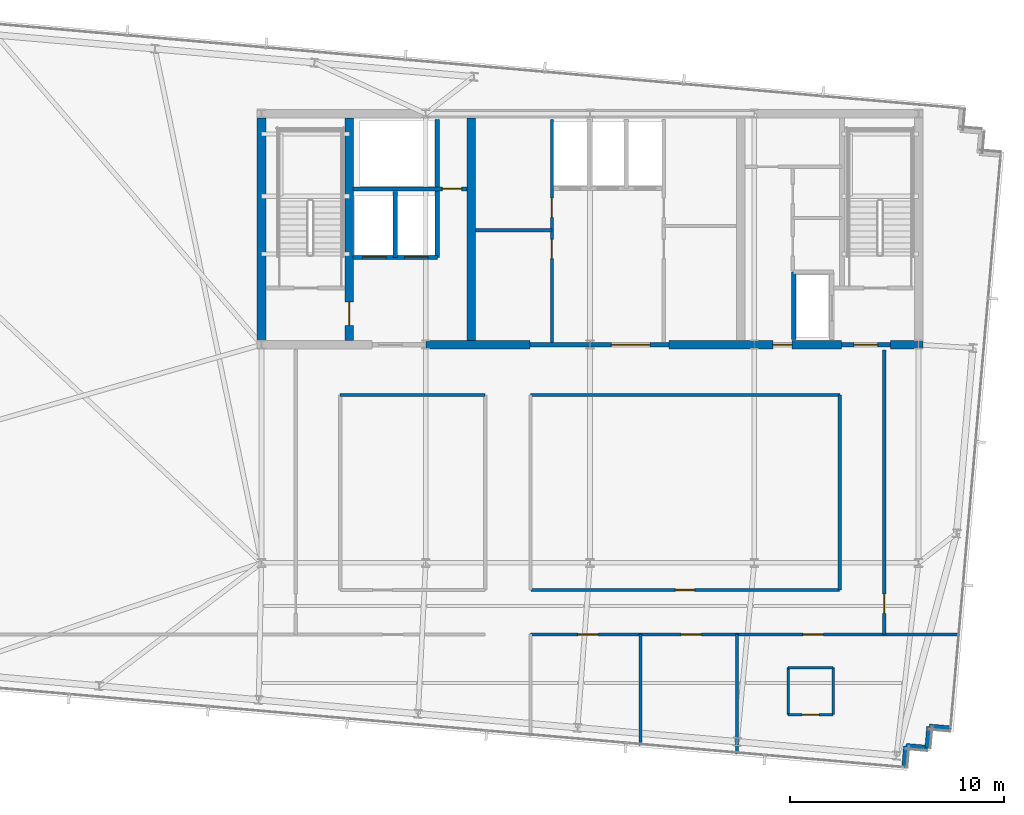
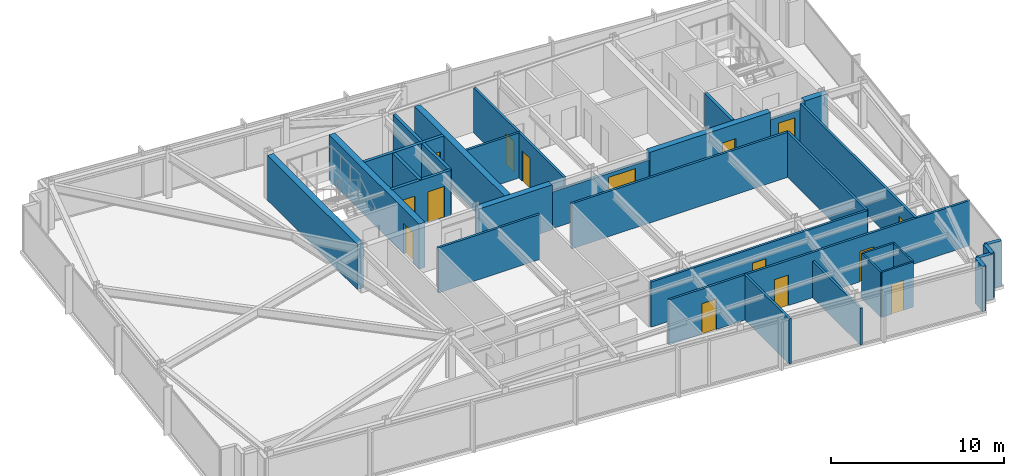
# One storey, part 27 of 32: 31 walls, 15 doors, 15 openings.
"""IFC4 building model written with IfcOpenShell, lengths in metres."""

from ifc_helpers import new_model, si_unit, direction, frame, frame_2d, origin, place, context, subcontext, project, spatial, rectangle, extrude, material, layer, layer_set, type_object, element, fill, save


model = new_model("IFC4")

# Units and contexts
model_context = context("Model", 3, precision=1e-05, world=origin(), true_north=direction((0.0, 1.0)))
body_context = subcontext(model_context, "Body", "Model", "MODEL_VIEW")
ifc_project = project(units=[si_unit("LENGTHUNIT", "METRE"), si_unit("AREAUNIT", "SQUARE_METRE"), si_unit("VOLUMEUNIT", "CUBIC_METRE"), si_unit("PLANEANGLEUNIT", "RADIAN"), si_unit("MASSUNIT", "GRAM", prefix="KILO")], contexts=[model_context])

# Site, building, storey
site_placement = place(None, origin())
site = spatial("IfcSite", under=ifc_project, at=site_placement, CompositionType="ELEMENT")
building_placement = place(site_placement, origin())
building = spatial("IfcBuilding", under=site, at=building_placement, Name="Yelkora Congress Tower", CompositionType="ELEMENT")
storey_placement = place(building_placement, frame((0.0, 0.0, 279.5)))
storey = spatial("IfcBuildingStorey", under=building, at=storey_placement, Name="L78", CompositionType="ELEMENT", Elevation=279.5)

# Wall
ifc_material_1 = material(Name="Concrete C50/60", Category="concrete")
ifc_layer_1 = layer(ifc_material_1, 0.39990234375)
ifc_layer_set_1 = layer_set([ifc_layer_1], Name="Concrete C50/60")
wall_type_1 = type_object("IfcWallType", Name="WALL-CORE-INT-400", PredefinedType="SHEAR", material=ifc_layer_set_1)
wall_1_placement = place(storey_placement, frame((30.719970703125, 35.39990234375, 0.0), z_axis=(0.0, 0.0, 1.0), x_axis=(1.0, 0.0, 0.0)))
element("IfcWall", 1, at=wall_1_placement, inside=storey, type_object=wall_type_1, Name="L78 Rear Core South-Center Shear Pier", PredefinedType="SHEAR", context=body_context, shape_type="SweptSolid", body=[
    extrude(rectangle(XDim=4.880126953125, YDim=0.39990234375, at=frame_2d((2.43994140625, 0.0))), origin(), (0.0, 0.0, 1.0), 3.179931640625),
])

# Wall, opening, door
wall_2_placement = place(storey_placement, frame((42.10009765625, 35.39990234375, 0.0), z_axis=(0.0, 0.0, 1.0), x_axis=(1.0, 0.0, 0.0)))
wall_2 = element("IfcWall", 2, at=wall_2_placement, inside=storey, type_object=wall_type_1, Name="L78 Rear Core South-East Shear Wall A", PredefinedType="SHEAR", context=body_context, shape_type="SweptSolid", body=[
    extrude(rectangle(XDim=8.0498046875, YDim=0.39990234375, at=frame_2d((4.02490234375, 0.0))), origin(), (0.0, 0.0, 1.0), 3.179931640625),
])
opening_1_placement = place(wall_2_placement, frame((4.85009765625, 0.0, 0.0)))
opening_1 = element("IfcOpeningElement", 3, at=opening_1_placement, cuts=wall_2, Name="Opening DR-090F6", PredefinedType="OPENING", context=body_context, shape_type="SweptSolid", body=[
    extrude(rectangle(XDim=0.89990234375, YDim=2.14990234375, at=frame_2d((0.449951171875, 1.074951171875))), frame((0.0, 0.2099609375, 0.0), z_axis=(0.0, -1.0, 0.0), x_axis=(1.0, 0.0, 0.0)), (0.0, 0.0, 1.0), 0.419921875),
])
ifc_material_2 = material(Name="Painted steel riser fire door leaf", Category="steel")
door_type_1 = type_object("IfcDoorType", Name="DOOR-FD60-900", OperationType="NOTDEFINED", PredefinedType="DOOR", material=ifc_material_2)
door_1_placement = place(opening_1_placement, origin())
door_1 = element("IfcDoor", 4, at=door_1_placement, inside=storey, type_object=door_type_1, Name="L78 Core Washroom Lobby Door", OperationType="SINGLE_SWING_RIGHT", OverallHeight=2.14990234375, OverallWidth=0.89990234375, PredefinedType="DOOR", context=body_context, shape_type="SweptSolid", body=[
    extrude(rectangle(XDim=0.89990234375, YDim=2.14990234375, at=frame_2d((0.449951171875, 1.074951171875))), frame((0.0, 0.02490234375, 0.0), z_axis=(0.0, -1.0, 0.0), x_axis=(1.0, 0.0, 0.0)), (0.0, 0.0, 1.0), 0.050048828125),
])
fill(opening_1, door_1)

# Walls
wall_3_placement = place(storey_placement, frame((52.449951171875, 35.39990234375, 0.0), z_axis=(0.0, 0.0, 1.0), x_axis=(1.0, 0.0, 0.0)))
element("IfcWall", 5, at=wall_3_placement, inside=storey, type_object=wall_type_1, Name="L78 Rear Core South-East Shear Wall B", PredefinedType="SHEAR", context=body_context, shape_type="SweptSolid", body=[
    extrude(rectangle(XDim=1.510009765625, YDim=0.39990234375, at=frame_2d((0.7548828125, 0.0))), origin(), (0.0, 0.0, 1.0), 3.179931640625),
])
wall_4_placement = place(storey_placement, frame((23.0400390625, 35.60009765625, 0.0), z_axis=(0.0, 0.0, 1.0), x_axis=(0.0, 1.0, 0.0)))
element("IfcWall", 6, at=wall_4_placement, inside=storey, type_object=wall_type_1, Name="L78 Rear Core Cross Shear Wall W", PredefinedType="SHEAR", context=body_context, shape_type="SweptSolid", body=[
    extrude(rectangle(XDim=10.39990234375, YDim=0.39990234375, at=frame_2d((5.199951171875, 0.0))), origin(), (0.0, 0.0, 1.0), 3.179931640625),
])

# Wall, opening, door
wall_5_placement = place(storey_placement, frame((27.14990234375, 35.60009765625, 0.0), z_axis=(0.0, 0.0, 1.0), x_axis=(0.0, 1.0, 0.0)))
wall_5 = element("IfcWall", 7, at=wall_5_placement, inside=storey, type_object=wall_type_1, Name="L78 Rear Core Cross Shear Wall C1", PredefinedType="SHEAR", context=body_context, shape_type="SweptSolid", body=[
    extrude(rectangle(XDim=10.39990234375, YDim=0.39990234375, at=frame_2d((5.199951171875, 0.0))), origin(), (0.0, 0.0, 1.0), 3.179931640625),
])
opening_2_placement = place(wall_5_placement, frame((0.699951171875, 0.0, 0.0)))
opening_2 = element("IfcOpeningElement", 8, at=opening_2_placement, cuts=wall_5, Name="Opening DR-110F9", PredefinedType="OPENING", context=body_context, shape_type="SweptSolid", body=[
    extrude(rectangle(XDim=1.10009765625, YDim=2.14990234375, at=frame_2d((0.550048828125, 1.074951171875))), frame((0.0, 0.2099609375, 0.0), z_axis=(0.0, -1.0, 0.0), x_axis=(1.0, 0.0, 0.0)), (0.0, 0.0, 1.0), 0.419921875),
])
ifc_material_3 = material(Name="Galvanised steel fire door leaf", Category="steel")
door_type_2 = type_object("IfcDoorType", Name="DOOR-FD90-1100", OperationType="NOTDEFINED", PredefinedType="DOOR", material=ifc_material_3)
door_2_placement = place(opening_2_placement, origin())
door_2 = element("IfcDoor", 9, at=door_2_placement, inside=storey, type_object=door_type_2, Name="L78 Firefighting Stair Transfer Door", OperationType="SINGLE_SWING_LEFT", OverallHeight=2.14990234375, OverallWidth=1.10009765625, PredefinedType="DOOR", context=body_context, shape_type="SweptSolid", body=[
    extrude(rectangle(XDim=1.10009765625, YDim=2.14990234375, at=frame_2d((0.550048828125, 1.074951171875))), frame((0.0, 0.02490234375, 0.0), z_axis=(0.0, -1.0, 0.0), x_axis=(1.0, 0.0, 0.0)), (0.0, 0.0, 1.0), 0.050048828125),
])
fill(opening_2, door_2)

# Walls
wall_6_placement = place(storey_placement, frame((32.85009765625, 35.60009765625, 0.0), z_axis=(0.0, 0.0, 1.0), x_axis=(0.0, 1.0, 0.0)))
element("IfcWall", 10, at=wall_6_placement, inside=storey, type_object=wall_type_1, Name="L78 Rear Core Cross Shear Wall C2", PredefinedType="SHEAR", context=body_context, shape_type="SweptSolid", body=[
    extrude(rectangle(XDim=10.39990234375, YDim=0.39990234375, at=frame_2d((5.199951171875, 0.0))), origin(), (0.0, 0.0, 1.0), 3.179931640625),
])
ifc_material_4 = material(Name="Concrete C40/50", Category="concrete")
ifc_layer_2 = layer(ifc_material_4, 0.239990234375)
ifc_layer_set_2 = layer_set([ifc_layer_2], Name="Concrete C40/50")
wall_type_2 = type_object("IfcWallType", Name="WALL-EXT-LIMESTONE-240", PredefinedType="SOLIDWALL", material=ifc_layer_set_2)
for number, where, z_axis, x_axis, name in (
    (11, (55.2578125, 17.458740234375, 0.0), (0.0, 0.0, 1.0), (-0.996193717496, 0.087166950281, 0.0), "L78 Serrated Corner Limestone Pier 16"),
    (12, (54.26171875, 17.5458984375, 0.0), (0.0, 0.0, 1.0), (-0.087166950281, -0.996193717496, 0.0), "L78 Serrated Corner Limestone Pier 17"),
):
    element("IfcWall", number, at=place(storey_placement, frame(where, z_axis=z_axis, x_axis=x_axis)), inside=storey, type_object=wall_type_2, Name=name, PredefinedType="SOLIDWALL", context=body_context, shape_type="SweptSolid", body=[
        extrude(rectangle(XDim=1.0, YDim=0.239990234375, at=frame_2d((0.5, 0.0))), origin(), (0.0, 0.0, 1.0), 3.179931640625),
    ])
for number, where, z_axis, x_axis, name in (
    (13, (54.174560546875, 16.5498046875, 0.0), (0.0, 0.0, 1.0), (-0.996195572005, 0.087145753297, 0.0), "L78 Serrated Corner Limestone Pier 18"),
    (14, (53.17822265625, 16.636962890625, 0.0), (0.0, 0.0, 1.0), (-0.087145753297, -0.996195572005, 0.0), "L78 Serrated Corner Limestone Pier 19"),
):
    element("IfcWall", number, at=place(storey_placement, frame(where, z_axis=z_axis, x_axis=x_axis)), inside=storey, type_object=wall_type_2, Name=name, PredefinedType="SOLIDWALL", context=body_context, shape_type="SweptSolid", body=[
        extrude(rectangle(XDim=1.000244140625, YDim=0.239990234375, at=frame_2d((0.5, 0.0))), origin(), (0.0, 0.0, 1.0), 3.179931640625),
    ])
ifc_material_5 = material(Name="Moisture-resistant gypsum partition", Category="gypsum")
ifc_layer_3 = layer(ifc_material_5, 0.1201171875)
ifc_layer_set_3 = layer_set([ifc_layer_3], Name="Moisture-resistant gypsum partition")
wall_type_3 = type_object("IfcWallType", Name="WALL-INT-120-NR", PredefinedType="PARTITIONING", material=ifc_layer_set_3)
wall_7_placement = place(storey_placement, frame((47.666015625, 20.300048828125, 0.0), z_axis=(0.0, 0.0, 1.0), x_axis=(1.0, 0.0, 0.0)))
element("IfcWall", 15, at=wall_7_placement, inside=storey, type_object=wall_type_3, Name="L78 Partition Wall 25", PredefinedType="PARTITIONING", context=body_context, shape_type="SweptSolid", body=[
    extrude(rectangle(XDim=2.10009765625, YDim=0.1201171875, at=frame_2d((1.050048828125, 0.0))), origin(), (0.0, 0.0, 1.0), 3.179931640625),
])
for number, where, z_axis, x_axis, name in (
    (16, (47.666015625, 18.10009765625, 0.0), (0.0, 0.0, 1.0), (0.0, 1.0, 0.0), "L78 Partition Wall 26"),
    (17, (49.76611328125, 18.10009765625, 0.0), (0.0, 0.0, 1.0), (0.0, 1.0, 0.0), "L78 Partition Wall 27"),
):
    element("IfcWall", number, at=place(storey_placement, frame(where, z_axis=z_axis, x_axis=x_axis)), inside=storey, type_object=wall_type_3, Name=name, PredefinedType="PARTITIONING", context=body_context, shape_type="SweptSolid", body=[
        extrude(rectangle(XDim=2.199951171875, YDim=0.1201171875, at=frame_2d((1.10009765625, 0.0))), origin(), (0.0, 0.0, 1.0), 3.179931640625),
    ])

# Wall, opening, door
wall_8_placement = place(storey_placement, frame((47.666015625, 18.10009765625, 0.0), z_axis=(0.0, 0.0, 1.0), x_axis=(1.0, 0.0, 0.0)))
wall_8 = element("IfcWall", 18, at=wall_8_placement, inside=storey, type_object=wall_type_3, Name="L78 Partition Wall 28", PredefinedType="PARTITIONING", context=body_context, shape_type="SweptSolid", body=[
    extrude(rectangle(XDim=2.10009765625, YDim=0.1201171875, at=frame_2d((1.050048828125, 0.0))), origin(), (0.0, 0.0, 1.0), 3.179931640625),
])
opening_3_placement = place(wall_8_placement, frame((0.64990234375, 0.0, 0.0)))
opening_3 = element("IfcOpeningElement", 19, at=opening_3_placement, cuts=wall_8, Name="Opening DR-080B", PredefinedType="OPENING", context=body_context, shape_type="SweptSolid", body=[
    extrude(rectangle(XDim=0.800048828125, YDim=2.10009765625, at=frame_2d((0.39990234375, 1.050048828125))), frame((0.0, 0.070068359375, 0.0), z_axis=(0.0, -1.0, 0.0), x_axis=(1.0, 0.0, 0.0)), (0.0, 0.0, 1.0), 0.14013671875),
])
ifc_material_6 = material(Name="Moisture-sealed en-suite timber door", Category="wood")
door_type_3 = type_object("IfcDoorType", Name="DOOR-BATH-800", OperationType="NOTDEFINED", PredefinedType="DOOR", material=ifc_material_6)
door_3_placement = place(opening_3_placement, origin())
door_3 = element("IfcDoor", 20, at=door_3_placement, inside=storey, type_object=door_type_3, Name="L78 En-suite Door 5", OperationType="SINGLE_SWING_RIGHT", OverallHeight=2.10009765625, OverallWidth=0.800048828125, PredefinedType="DOOR", context=body_context, shape_type="SweptSolid", body=[
    extrude(rectangle(XDim=0.800048828125, YDim=2.10009765625, at=frame_2d((0.39990234375, 1.050048828125))), frame((0.0, 0.02490234375, 0.0), z_axis=(0.0, -1.0, 0.0), x_axis=(1.0, 0.0, 0.0)), (0.0, 0.0, 1.0), 0.050048828125),
])
fill(opening_3, door_3)

ifc_material_7 = material(Name="Acoustic metal-stud gypsum partition", Category="gypsum")
ifc_layer_4 = layer(ifc_material_7, 0.14990234375)
ifc_layer_set_4 = layer_set([ifc_layer_4], Name="Acoustic metal-stud gypsum partition")
wall_type_4 = type_object("IfcWallType", Name="WALL-INT-150-NR", PredefinedType="PARTITIONING", material=ifc_layer_set_4)
wall_9_placement = place(storey_placement, frame((52.159912109375, 21.85009765625, 0.0), z_axis=(0.0, 0.0, 1.0), x_axis=(0.0, 1.0, 0.0)))
wall_9 = element("IfcWall", 21, at=wall_9_placement, inside=storey, type_object=wall_type_4, Name="L78 Partition Wall 33", PredefinedType="PARTITIONING", context=body_context, shape_type="SweptSolid", body=[
    extrude(rectangle(XDim=13.289794921875, YDim=0.14990234375, at=frame_2d((6.64501953125, 0.0))), origin(), (0.0, 0.0, 1.0), 3.179931640625),
])
opening_4_placement = place(wall_9_placement, frame((0.984375, 0.0, 0.0)))
opening_4 = element("IfcOpeningElement", 22, at=opening_4_placement, cuts=wall_9, Name="Opening DR-090N", PredefinedType="OPENING", context=body_context, shape_type="SweptSolid", body=[
    extrude(rectangle(XDim=0.89990234375, YDim=2.14990234375, at=frame_2d((0.449951171875, 1.074951171875))), frame((0.0, 0.0849609375, 0.0), z_axis=(0.0, -1.0, 0.0), x_axis=(1.0, 0.0, 0.0)), (0.0, 0.0, 1.0), 0.169921875),
])
ifc_material_8 = material(Name="Moisture-resistant laminate door leaf", Category="wood")
door_type_4 = type_object("IfcDoorType", Name="DOOR-INT-900", OperationType="NOTDEFINED", PredefinedType="DOOR", material=ifc_material_8)
door_4_placement = place(opening_4_placement, origin())
door_4 = element("IfcDoor", 23, at=door_4_placement, inside=storey, type_object=door_type_4, Name="L78 E Wing Door", OperationType="SINGLE_SWING_RIGHT", OverallHeight=2.14990234375, OverallWidth=0.89990234375, PredefinedType="DOOR", context=body_context, shape_type="SweptSolid", body=[
    extrude(rectangle(XDim=0.89990234375, YDim=2.14990234375, at=frame_2d((0.449951171875, 1.074951171875))), frame((0.0, 0.02490234375, 0.0), z_axis=(0.0, -1.0, 0.0), x_axis=(1.0, 0.0, 0.0)), (0.0, 0.0, 1.0), 0.050048828125),
])
fill(opening_4, door_4)

# Walls
wall_10_placement = place(storey_placement, frame((50.080078125, 23.929931640625, 0.0), z_axis=(0.0, 0.0, 1.0), x_axis=(0.0, 1.0, 0.0)))
element("IfcWall", 24, at=wall_10_placement, inside=storey, type_object=wall_type_4, Name="L78 Partition Wall 35", PredefinedType="PARTITIONING", context=body_context, shape_type="SweptSolid", body=[
    extrude(rectangle(XDim=9.1201171875, YDim=0.14990234375, at=frame_2d((4.56005859375, 0.0))), origin(), (0.0, 0.0, 1.0), 3.179931640625),
])
wall_11_placement = place(storey_placement, frame((26.719970703125, 33.050048828125, 0.0), z_axis=(0.0, 0.0, 1.0), x_axis=(1.0, 0.0, 0.0)))
element("IfcWall", 25, at=wall_11_placement, inside=storey, type_object=wall_type_4, Name="L78 Partition Wall 38", PredefinedType="PARTITIONING", context=body_context, shape_type="SweptSolid", body=[
    extrude(rectangle(XDim=6.780029296875, YDim=0.14990234375, at=frame_2d((3.39013671875, 0.0))), origin(), (0.0, 0.0, 1.0), 3.179931640625),
])
wall_12_placement = place(storey_placement, frame((35.6201171875, 33.050048828125, 0.0), z_axis=(0.0, 0.0, 1.0), x_axis=(1.0, 0.0, 0.0)))
element("IfcWall", 26, at=wall_12_placement, inside=storey, type_object=wall_type_4, Name="L78 Partition Wall 39", PredefinedType="PARTITIONING", context=body_context, shape_type="SweptSolid", body=[
    extrude(rectangle(XDim=14.4599609375, YDim=0.14990234375, at=frame_2d((7.22998046875, 0.0))), origin(), (0.0, 0.0, 1.0), 3.179931640625),
])

# Wall, opening, door
wall_13_placement = place(storey_placement, frame((35.6298828125, 23.929931640625, 0.0), z_axis=(0.0, 0.0, 1.0), x_axis=(1.0, 0.0, 0.0)))
wall_13 = element("IfcWall", 27, at=wall_13_placement, inside=storey, type_object=wall_type_4, Name="L78 Partition Wall 41", PredefinedType="PARTITIONING", context=body_context, shape_type="SweptSolid", body=[
    extrude(rectangle(XDim=14.43017578125, YDim=0.14990234375, at=frame_2d((7.215087890625, 0.0))), origin(), (0.0, 0.0, 1.0), 3.179931640625),
])
opening_5_placement = place(wall_13_placement, frame((6.764892578125, 0.0, 0.0)))
opening_5 = element("IfcOpeningElement", 28, at=opening_5_placement, cuts=wall_13, Name="Opening DR-090N", PredefinedType="OPENING", context=body_context, shape_type="SweptSolid", body=[
    extrude(rectangle(XDim=0.89990234375, YDim=2.14990234375, at=frame_2d((0.449951171875, 1.074951171875))), frame((0.0, 0.0849609375, 0.0), z_axis=(0.0, -1.0, 0.0), x_axis=(1.0, 0.0, 0.0)), (0.0, 0.0, 1.0), 0.169921875),
])
door_5_placement = place(opening_5_placement, origin())
door_5 = element("IfcDoor", 29, at=door_5_placement, inside=storey, type_object=door_type_4, Name="L78 Diplomatic Day Lounge Door", OperationType="SINGLE_SWING_RIGHT", OverallHeight=2.14990234375, OverallWidth=0.89990234375, PredefinedType="DOOR", context=body_context, shape_type="SweptSolid", body=[
    extrude(rectangle(XDim=0.89990234375, YDim=2.14990234375, at=frame_2d((0.449951171875, 1.074951171875))), frame((0.0, 0.02490234375, 0.0), z_axis=(0.0, -1.0, 0.0), x_axis=(1.0, 0.0, 0.0)), (0.0, 0.0, 1.0), 0.050048828125),
])
fill(opening_5, door_5)

# Wall
ifc_material_9 = material(Name="Twin-stud fire-rated gypsum partition", Category="gypsum")
ifc_layer_5 = layer(ifc_material_9, 0.14990234375)
ifc_layer_set_5 = layer_set([ifc_layer_5], Name="Twin-stud fire-rated gypsum partition")
wall_type_5 = type_object("IfcWallType", Name="WALL-INT-150-R60", PredefinedType="PARTITIONING", material=ifc_layer_set_5)
wall_14_placement = place(storey_placement, frame((33.050048828125, 40.75, 0.0), z_axis=(0.0, 0.0, 1.0), x_axis=(1.0, 0.0, 0.0)))
element("IfcWall", 30, at=wall_14_placement, inside=storey, type_object=wall_type_5, Name="L78 Partition Wall 11", PredefinedType="PARTITIONING", context=body_context, shape_type="SweptSolid", body=[
    extrude(rectangle(XDim=3.570068359375, YDim=0.14990234375, at=frame_2d((1.78515625, 0.0))), origin(), (0.0, 0.0, 1.0), 3.179931640625),
])

# Wall, openings, doors
wall_15_placement = place(storey_placement, frame((36.6201171875, 35.5, 0.0), z_axis=(0.0, 0.0, 1.0), x_axis=(0.0, 1.0, 0.0)))
wall_15 = element("IfcWall", 31, at=wall_15_placement, inside=storey, type_object=wall_type_5, Name="L78 Partition Wall 12", PredefinedType="PARTITIONING", context=body_context, shape_type="SweptSolid", body=[
    extrude(rectangle(XDim=10.419921875, YDim=0.14990234375, at=frame_2d((5.2099609375, 0.0))), origin(), (0.0, 0.0, 1.0), 3.179931640625),
])
opening_6_placement = place(wall_15_placement, frame((3.919921875, 0.0, 0.0)))
opening_6 = element("IfcOpeningElement", 32, at=opening_6_placement, cuts=wall_15, Name="Opening DR-090F6", PredefinedType="OPENING", context=body_context, shape_type="SweptSolid", body=[
    extrude(rectangle(XDim=0.89990234375, YDim=2.14990234375, at=frame_2d((0.449951171875, 1.074951171875))), frame((0.0, 0.0849609375, 0.0), z_axis=(0.0, -1.0, 0.0), x_axis=(1.0, 0.0, 0.0)), (0.0, 0.0, 1.0), 0.169921875),
])
opening_7_placement = place(wall_15_placement, frame((5.85009765625, 0.0, 0.0)))
opening_7 = element("IfcOpeningElement", 33, at=opening_7_placement, cuts=wall_15, Name="Opening DR-090F6", PredefinedType="OPENING", context=body_context, shape_type="SweptSolid", body=[
    extrude(rectangle(XDim=0.89990234375, YDim=2.14990234375, at=frame_2d((0.449951171875, 1.074951171875))), frame((0.0, 0.0849609375, 0.0), z_axis=(0.0, -1.0, 0.0), x_axis=(1.0, 0.0, 0.0)), (0.0, 0.0, 1.0), 0.169921875),
])
door_6_placement = place(opening_6_placement, origin())
door_6 = element("IfcDoor", 34, at=door_6_placement, inside=storey, type_object=door_type_1, Name="L78 Telecom Store Door", OperationType="SINGLE_SWING_RIGHT", OverallHeight=2.14990234375, OverallWidth=0.89990234375, PredefinedType="DOOR", context=body_context, shape_type="SweptSolid", body=[
    extrude(rectangle(XDim=0.89990234375, YDim=2.14990234375, at=frame_2d((0.449951171875, 1.074951171875))), frame((0.0, 0.02490234375, 0.0), z_axis=(0.0, -1.0, 0.0), x_axis=(1.0, 0.0, 0.0)), (0.0, 0.0, 1.0), 0.050048828125),
])
fill(opening_6, door_6)
door_7_placement = place(opening_7_placement, origin())
door_7 = element("IfcDoor", 35, at=door_7_placement, inside=storey, type_object=door_type_1, Name="L78 Archive Store Door", OperationType="SINGLE_SWING_LEFT", OverallHeight=2.14990234375, OverallWidth=0.89990234375, PredefinedType="DOOR", context=body_context, shape_type="SweptSolid", body=[
    extrude(rectangle(XDim=0.89990234375, YDim=2.14990234375, at=frame_2d((0.449951171875, 1.074951171875))), frame((0.0, 0.02490234375, 0.0), z_axis=(0.0, -1.0, 0.0), x_axis=(1.0, 0.0, 0.0)), (0.0, 0.0, 1.0), 0.050048828125),
])
fill(opening_7, door_7)

# Walls
wall_16_placement = place(storey_placement, frame((40.761962890625, 16.6591796875, 0.0), z_axis=(0.0, 0.0, 1.0), x_axis=(0.0, 1.0, 0.0)))
element("IfcWall", 36, at=wall_16_placement, inside=storey, type_object=wall_type_5, Name="L78 Partition Wall 24", PredefinedType="PARTITIONING", context=body_context, shape_type="SweptSolid", body=[
    extrude(rectangle(XDim=5.2109375, YDim=0.14990234375, at=frame_2d((2.60546875, 0.0))), origin(), (0.0, 0.0, 1.0), 3.179931640625),
])
wall_17_placement = place(storey_placement, frame((45.27197265625, 16.264404296875, 0.0), z_axis=(0.0, 0.0, 1.0), x_axis=(0.0, 1.0, 0.0)))
element("IfcWall", 37, at=wall_17_placement, inside=storey, type_object=wall_type_5, Name="L78 Partition Wall 29", PredefinedType="PARTITIONING", context=body_context, shape_type="SweptSolid", body=[
    extrude(rectangle(XDim=5.605712890625, YDim=0.14990234375, at=frame_2d((2.802734375, 0.0))), origin(), (0.0, 0.0, 1.0), 2.574951171875),
])

# Wall, openings, doors
wall_18_placement = place(storey_placement, frame((35.6201171875, 21.85009765625, 0.0), z_axis=(0.0, 0.0, 1.0), x_axis=(1.0, 0.0, 0.0)))
wall_18 = element("IfcWall", 38, at=wall_18_placement, inside=storey, type_object=wall_type_5, Name="L78 South Spine Wall East", PredefinedType="PARTITIONING", context=body_context, shape_type="SweptSolid", body=[
    extrude(rectangle(XDim=20.082275390625, YDim=0.14990234375, at=frame_2d((10.041015625, 0.0))), origin(), (0.0, 0.0, 1.0), 3.179931640625),
])
opening_8_placement = place(wall_18_placement, frame((2.216064453125, 0.0, 0.0)))
opening_8 = element("IfcOpeningElement", 39, at=opening_8_placement, cuts=wall_18, Name="Opening DR-095F6", PredefinedType="OPENING", context=body_context, shape_type="SweptSolid", body=[
    extrude(rectangle(XDim=0.949951171875, YDim=2.14990234375, at=frame_2d((0.47509765625, 1.074951171875))), frame((0.0, 0.0849609375, 0.0), z_axis=(0.0, -1.0, 0.0), x_axis=(1.0, 0.0, 0.0)), (0.0, 0.0, 1.0), 0.169921875),
])
opening_9_placement = place(wall_18_placement, frame((7.037109375, 0.0, 0.0)))
opening_9 = element("IfcOpeningElement", 40, at=opening_9_placement, cuts=wall_18, Name="Opening DR-095F6", PredefinedType="OPENING", context=body_context, shape_type="SweptSolid", body=[
    extrude(rectangle(XDim=0.949951171875, YDim=2.14990234375, at=frame_2d((0.47509765625, 1.074951171875))), frame((0.0, 0.0849609375, 0.0), z_axis=(0.0, -1.0, 0.0), x_axis=(1.0, 0.0, 0.0)), (0.0, 0.0, 1.0), 0.169921875),
])
opening_10_placement = place(wall_18_placement, frame((12.736083984375, 0.0, 0.0)))
opening_10 = element("IfcOpeningElement", 41, at=opening_10_placement, cuts=wall_18, Name="Opening DR-095F6", PredefinedType="OPENING", context=body_context, shape_type="SweptSolid", body=[
    extrude(rectangle(XDim=0.949951171875, YDim=2.14990234375, at=frame_2d((0.47509765625, 1.074951171875))), frame((0.0, 0.0849609375, 0.0), z_axis=(0.0, -1.0, 0.0), x_axis=(1.0, 0.0, 0.0)), (0.0, 0.0, 1.0), 0.169921875),
])
ifc_material_10 = material(Name="Acoustic oak-veneer fire door leaf", Category="wood")
door_type_5 = type_object("IfcDoorType", Name="DOOR-FD60-950", OperationType="NOTDEFINED", PredefinedType="DOOR", material=ifc_material_10)
door_8_placement = place(opening_8_placement, origin())
door_8 = element("IfcDoor", 42, at=door_8_placement, inside=storey, type_object=door_type_5, Name="L78 VIP Hospitality Lounge Entry Door", OperationType="SINGLE_SWING_RIGHT", OverallHeight=2.14990234375, OverallWidth=0.949951171875, PredefinedType="DOOR", context=body_context, shape_type="SweptSolid", body=[
    extrude(rectangle(XDim=0.949951171875, YDim=2.14990234375, at=frame_2d((0.47509765625, 1.074951171875))), frame((0.0, 0.02490234375, 0.0), z_axis=(0.0, -1.0, 0.0), x_axis=(1.0, 0.0, 0.0)), (0.0, 0.0, 1.0), 0.050048828125),
])
fill(opening_8, door_8)
door_9_placement = place(opening_9_placement, origin())
door_9 = element("IfcDoor", 43, at=door_9_placement, inside=storey, type_object=door_type_5, Name="L78 VIP Hospitality Lounge Entry Door", OperationType="SINGLE_SWING_LEFT", OverallHeight=2.14990234375, OverallWidth=0.949951171875, PredefinedType="DOOR", context=body_context, shape_type="SweptSolid", body=[
    extrude(rectangle(XDim=0.949951171875, YDim=2.14990234375, at=frame_2d((0.47509765625, 1.074951171875))), frame((0.0, 0.02490234375, 0.0), z_axis=(0.0, -1.0, 0.0), x_axis=(1.0, 0.0, 0.0)), (0.0, 0.0, 1.0), 0.050048828125),
])
fill(opening_9, door_9)
door_10_placement = place(opening_10_placement, origin())
door_10 = element("IfcDoor", 44, at=door_10_placement, inside=storey, type_object=door_type_5, Name="L78 Hotel Guest Room 05 Entry Door", OperationType="SINGLE_SWING_RIGHT", OverallHeight=2.14990234375, OverallWidth=0.949951171875, PredefinedType="DOOR", context=body_context, shape_type="SweptSolid", body=[
    extrude(rectangle(XDim=0.949951171875, YDim=2.14990234375, at=frame_2d((0.47509765625, 1.074951171875))), frame((0.0, 0.02490234375, 0.0), z_axis=(0.0, -1.0, 0.0), x_axis=(1.0, 0.0, 0.0)), (0.0, 0.0, 1.0), 0.050048828125),
])
fill(opening_10, door_10)

ifc_material_11 = material(Name="Autoclaved aerated concrete blockwork", Category="masonry")
ifc_layer_6 = layer(ifc_material_11, 0.199951171875)
ifc_layer_set_6 = layer_set([ifc_layer_6], Name="Autoclaved aerated concrete blockwork")
wall_type_6 = type_object("IfcWallType", Name="WALL-INT-200-R120", PredefinedType="PARTITIONING", material=ifc_layer_set_6)
wall_19_placement = place(storey_placement, frame((27.320068359375, 39.47998046875, 0.0), z_axis=(0.0, 0.0, 1.0), x_axis=(1.0, 0.0, 0.0)))
wall_19 = element("IfcWall", 45, at=wall_19_placement, inside=storey, type_object=wall_type_6, Name="L78 Firefighting Lift Front Wall", PredefinedType="PARTITIONING", context=body_context, shape_type="SweptSolid", body=[
    extrude(rectangle(XDim=3.93994140625, YDim=0.199951171875, at=frame_2d((1.969970703125, 0.0))), origin(), (0.0, 0.0, 1.0), 3.179931640625),
])
opening_11_placement = place(wall_19_placement, frame((0.449951171875, 0.0, 0.0)))
opening_11 = element("IfcOpeningElement", 46, at=opening_11_placement, cuts=wall_19, Name="Opening LD-FF11", PredefinedType="OPENING", context=body_context, shape_type="SweptSolid", body=[
    extrude(rectangle(XDim=1.10009765625, YDim=2.199951171875, at=frame_2d((0.550048828125, 1.10009765625))), frame((0.0, 0.10986328125, 0.0), z_axis=(0.0, -1.0, 0.0), x_axis=(1.0, 0.0, 0.0)), (0.0, 0.0, 1.0), 0.219970703125),
])
opening_12_placement = place(wall_19_placement, frame((2.409912109375, 0.0, 0.0)))
opening_12 = element("IfcOpeningElement", 47, at=opening_12_placement, cuts=wall_19, Name="Opening LD-FF11", PredefinedType="OPENING", context=body_context, shape_type="SweptSolid", body=[
    extrude(rectangle(XDim=1.10009765625, YDim=2.199951171875, at=frame_2d((0.550048828125, 1.10009765625))), frame((0.0, 0.10986328125, 0.0), z_axis=(0.0, -1.0, 0.0), x_axis=(1.0, 0.0, 0.0)), (0.0, 0.0, 1.0), 0.219970703125),
])
ifc_material_12 = material(Name="Brushed stainless steel 316L landing door", Category="steel")
door_type_6 = type_object("IfcDoorType", Name="DOOR-LIFT-FF-1100", OperationType="DOUBLE_DOOR_SLIDING", PredefinedType="DOOR", material=ifc_material_12)
door_11_placement = place(opening_11_placement, origin())
door_11 = element("IfcDoor", 48, at=door_11_placement, inside=storey, type_object=door_type_6, Name="Lift Landing Door LF-FF1 L78", OperationType="DOUBLE_DOOR_SLIDING", OverallHeight=2.199951171875, OverallWidth=1.10009765625, PredefinedType="DOOR", context=body_context, shape_type="SweptSolid", body=[
    extrude(rectangle(XDim=1.10009765625, YDim=2.199951171875, at=frame_2d((0.550048828125, 1.10009765625))), frame((0.0, 0.02490234375, 0.0), z_axis=(0.0, -1.0, 0.0), x_axis=(1.0, 0.0, 0.0)), (0.0, 0.0, 1.0), 0.050048828125),
])
fill(opening_11, door_11)
door_12_placement = place(opening_12_placement, origin())
door_12 = element("IfcDoor", 49, at=door_12_placement, inside=storey, type_object=door_type_6, Name="Lift Landing Door LF-FF2 L78", OperationType="DOUBLE_DOOR_SLIDING", OverallHeight=2.199951171875, OverallWidth=1.10009765625, PredefinedType="DOOR", context=body_context, shape_type="SweptSolid", body=[
    extrude(rectangle(XDim=1.10009765625, YDim=2.199951171875, at=frame_2d((0.550048828125, 1.10009765625))), frame((0.0, 0.02490234375, 0.0), z_axis=(0.0, -1.0, 0.0), x_axis=(1.0, 0.0, 0.0)), (0.0, 0.0, 1.0), 0.050048828125),
])
fill(opening_12, door_12)

# Walls
wall_20_placement = place(storey_placement, frame((29.300048828125, 39.47998046875, 0.0), z_axis=(0.0, 0.0, 1.0), x_axis=(0.0, 1.0, 0.0)))
element("IfcWall", 50, at=wall_20_placement, inside=storey, type_object=wall_type_6, Name="L78 Partition Wall 4", PredefinedType="PARTITIONING", context=body_context, shape_type="SweptSolid", body=[
    extrude(rectangle(XDim=3.070068359375, YDim=0.199951171875, at=frame_2d((1.53515625, 0.0))), origin(), (0.0, 0.0, 1.0), 3.179931640625),
])
wall_21_placement = place(storey_placement, frame((31.260009765625, 39.47998046875, 0.0), z_axis=(0.0, 0.0, 1.0), x_axis=(0.0, 1.0, 0.0)))
element("IfcWall", 51, at=wall_21_placement, inside=storey, type_object=wall_type_6, Name="L78 Partition Wall 5", PredefinedType="PARTITIONING", context=body_context, shape_type="SweptSolid", body=[
    extrude(rectangle(XDim=6.43994140625, YDim=0.199951171875, at=frame_2d((3.219970703125, 0.0))), origin(), (0.0, 0.0, 1.0), 3.179931640625),
])

# Wall, opening, door
wall_22_placement = place(storey_placement, frame((27.320068359375, 42.679931640625, 0.0), z_axis=(0.0, 0.0, 1.0), x_axis=(1.0, 0.0, 0.0)))
wall_22 = element("IfcWall", 52, at=wall_22_placement, inside=storey, type_object=wall_type_6, Name="L78 Smoke Riser South Wall", PredefinedType="PARTITIONING", context=body_context, shape_type="SweptSolid", body=[
    extrude(rectangle(XDim=5.329833984375, YDim=0.199951171875, at=frame_2d((2.6650390625, 0.0))), origin(), (0.0, 0.0, 1.0), 3.179931640625),
])
opening_13_placement = place(wall_22_placement, frame((4.179931640625, 0.0, 0.0)))
opening_13 = element("IfcOpeningElement", 53, at=opening_13_placement, cuts=wall_22, Name="Opening DR-090F6", PredefinedType="OPENING", context=body_context, shape_type="SweptSolid", body=[
    extrude(rectangle(XDim=0.89990234375, YDim=2.14990234375, at=frame_2d((0.449951171875, 1.074951171875))), frame((0.0, 0.10986328125, 0.0), z_axis=(0.0, -1.0, 0.0), x_axis=(1.0, 0.0, 0.0)), (0.0, 0.0, 1.0), 0.219970703125),
])
door_13_placement = place(opening_13_placement, origin())
door_13 = element("IfcDoor", 54, at=door_13_placement, inside=storey, type_object=door_type_1, Name="L78 Riser Access Door", OperationType="SINGLE_SWING_LEFT", OverallHeight=2.14990234375, OverallWidth=0.89990234375, PredefinedType="DOOR", context=body_context, shape_type="SweptSolid", body=[
    extrude(rectangle(XDim=0.89990234375, YDim=2.14990234375, at=frame_2d((0.449951171875, 1.074951171875))), frame((0.0, 0.02490234375, 0.0), z_axis=(0.0, -1.0, 0.0), x_axis=(1.0, 0.0, 0.0)), (0.0, 0.0, 1.0), 0.050048828125),
])
fill(opening_13, door_13)

wall_23_placement = place(storey_placement, frame((35.60009765625, 35.39990234375, 0.0), z_axis=(0.0, 0.0, 1.0), x_axis=(1.0, 0.0, 0.0)))
wall_23 = element("IfcWall", 55, at=wall_23_placement, inside=storey, type_object=wall_type_6, Name="L78 Main Lift Lobby South Portal Wall", PredefinedType="PARTITIONING", context=body_context, shape_type="SweptSolid", body=[
    extrude(rectangle(XDim=6.5, YDim=0.199951171875, at=frame_2d((3.25, 0.0))), origin(), (0.0, 0.0, 1.0), 2.574951171875),
])
opening_14_placement = place(wall_23_placement, frame((3.800048828125, 0.0, 0.0)))
opening_14 = element("IfcOpeningElement", 56, at=opening_14_placement, cuts=wall_23, Name="Opening DR-180D", PredefinedType="OPENING", context=body_context, shape_type="SweptSolid", body=[
    extrude(rectangle(XDim=1.800048828125, YDim=2.300048828125, at=frame_2d((0.89990234375, 1.14990234375))), frame((0.0, 0.10986328125, 0.0), z_axis=(0.0, -1.0, 0.0), x_axis=(1.0, 0.0, 0.0)), (0.0, 0.0, 1.0), 0.219970703125),
])
ifc_material_13 = material(Name="Acoustic double congress hall doors", Category="wood")
door_type_7 = type_object("IfcDoorType", Name="DOOR-DBL-1800", OperationType="DOUBLE_DOOR_SINGLE_SWING", PredefinedType="DOOR", material=ifc_material_13)
door_14_placement = place(opening_14_placement, origin())
door_14 = element("IfcDoor", 57, at=door_14_placement, inside=storey, type_object=door_type_7, Name="L78 Main Lift Lobby Portal Door", OperationType="DOUBLE_DOOR_SINGLE_SWING", OverallHeight=2.300048828125, OverallWidth=1.800048828125, PredefinedType="DOOR", context=body_context, shape_type="SweptSolid", body=[
    extrude(rectangle(XDim=1.800048828125, YDim=2.300048828125, at=frame_2d((0.89990234375, 1.14990234375))), frame((0.0, 0.02490234375, 0.0), z_axis=(0.0, -1.0, 0.0), x_axis=(1.0, 0.0, 0.0)), (0.0, 0.0, 1.0), 0.050048828125),
])
fill(opening_14, door_14)

wall_24_placement = place(storey_placement, frame((50.14990234375, 35.39990234375, 0.0), z_axis=(0.0, 0.0, 1.0), x_axis=(1.0, 0.0, 0.0)))
wall_24 = element("IfcWall", 58, at=wall_24_placement, inside=storey, type_object=wall_type_6, Name="L78 Partition Wall 16", PredefinedType="PARTITIONING", context=body_context, shape_type="SweptSolid", body=[
    extrude(rectangle(XDim=2.300048828125, YDim=0.199951171875, at=frame_2d((1.14990234375, 0.0))), origin(), (0.0, 0.0, 1.0), 2.574951171875),
])
opening_15_placement = place(wall_24_placement, frame((0.60009765625, 0.0, 0.0)))
opening_15 = element("IfcOpeningElement", 59, at=opening_15_placement, cuts=wall_24, Name="Opening DR-110F9", PredefinedType="OPENING", context=body_context, shape_type="SweptSolid", body=[
    extrude(rectangle(XDim=1.10009765625, YDim=2.14990234375, at=frame_2d((0.550048828125, 1.074951171875))), frame((0.0, 0.10986328125, 0.0), z_axis=(0.0, -1.0, 0.0), x_axis=(1.0, 0.0, 0.0)), (0.0, 0.0, 1.0), 0.219970703125),
])
door_15_placement = place(opening_15_placement, origin())
door_15 = element("IfcDoor", 60, at=door_15_placement, inside=storey, type_object=door_type_2, Name="L78 East Stair Lobby Door", OperationType="SINGLE_SWING_LEFT", OverallHeight=2.14990234375, OverallWidth=1.10009765625, PredefinedType="DOOR", context=body_context, shape_type="SweptSolid", body=[
    extrude(rectangle(XDim=1.10009765625, YDim=2.14990234375, at=frame_2d((0.550048828125, 1.074951171875))), frame((0.0, 0.02490234375, 0.0), z_axis=(0.0, -1.0, 0.0), x_axis=(1.0, 0.0, 0.0)), (0.0, 0.0, 1.0), 0.050048828125),
])
fill(opening_15, door_15)

# Wall
wall_25_placement = place(storey_placement, frame((47.919921875, 35.64990234375, 0.0), z_axis=(0.0, 0.0, 1.0), x_axis=(0.0, 1.0, 0.0)))
element("IfcWall", 61, at=wall_25_placement, inside=storey, type_object=wall_type_6, Name="L78 Partition Wall 18", PredefinedType="PARTITIONING", context=body_context, shape_type="SweptSolid", body=[
    extrude(rectangle(XDim=3.150146484375, YDim=0.199951171875, at=frame_2d((1.5751953125, 0.0))), origin(), (0.0, 0.0, 1.0), 3.179931640625),
])

save(model, "model.ifc")
